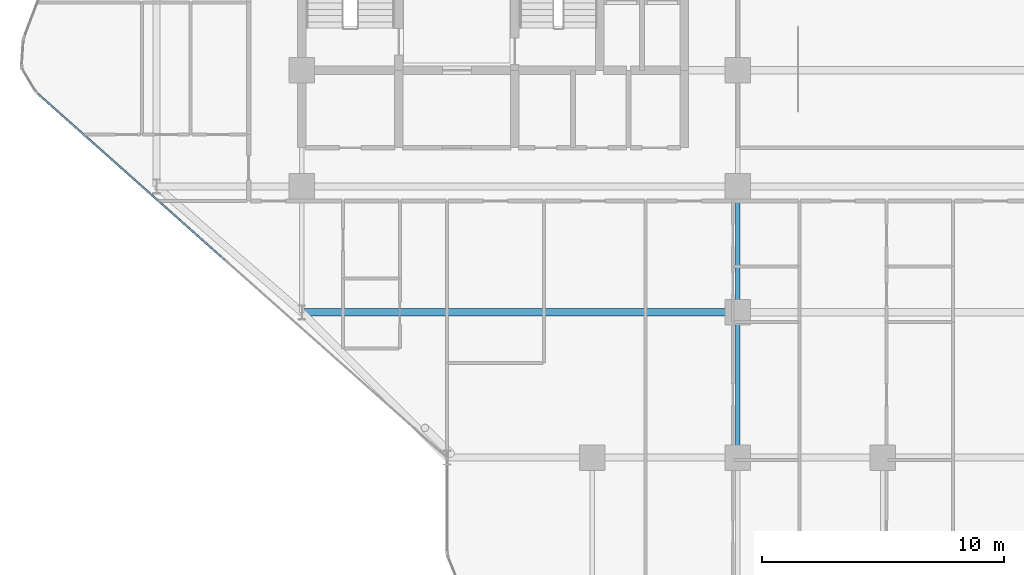
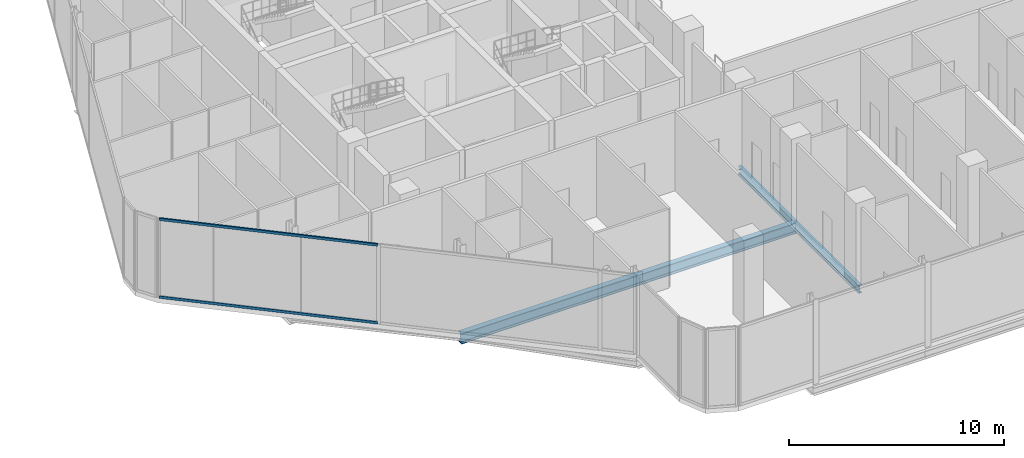
# One storey, part 5 of 29: 3 beams, 2 members, 1 element without a shape of its own.
"""IFC4 building model written with IfcOpenShell, lengths in metres."""

from ifc_helpers import new_model, si_unit, direction, frame, origin, origin_2d, place, context, subcontext, project, spatial, hollow_rectangle, i_section, extrude, material, layer, layer_set, material_profile, profile_set, type_object, element, aggregate, save


model = new_model("IFC4")

# Units and contexts
model_context = context("Model", 3, precision=1e-05, world=origin(), true_north=direction((0.0, 1.0)))
body_context = subcontext(model_context, "Body", "Model", "MODEL_VIEW")
ifc_project = project(units=[si_unit("LENGTHUNIT", "METRE"), si_unit("AREAUNIT", "SQUARE_METRE"), si_unit("VOLUMEUNIT", "CUBIC_METRE"), si_unit("PLANEANGLEUNIT", "RADIAN"), si_unit("MASSUNIT", "GRAM", prefix="KILO")], contexts=[model_context])

# Site, building, storey
site_placement = place(None, origin())
site = spatial("IfcSite", under=ifc_project, at=site_placement, CompositionType="ELEMENT")
building_placement = place(site_placement, origin())
building = spatial("IfcBuilding", under=site, at=building_placement, Name="Keshet Zoharim Tower", CompositionType="ELEMENT")
storey_placement = place(building_placement, frame((0.0, 0.0, 120.5)))
storey = spatial("IfcBuildingStorey", under=building, at=storey_placement, Name="L29", CompositionType="ELEMENT", Elevation=120.5)

# Beams
ifc_material_1 = material(Name="Steel S355", Category="steel")
ifc_material_profile_1 = material_profile(ifc_material_1, i_section(OverallWidth=0.300048828125, OverallDepth=0.60009765625, WebThickness=0.015380859375, FlangeThickness=0.030029296875, FilletRadius=0.027099609375, at=origin_2d()), Name="HEB600")
ifc_profile_set_1 = profile_set([ifc_material_profile_1], Name="Steel S355")
beam_type_1 = type_object("IfcBeamType", Name="BM-LNG-HB600", PredefinedType="BEAM", material=ifc_profile_set_1)
beam_1_placement = place(storey_placement, frame((15.0, 12.699951171875, -0.6201171875), z_axis=(1.0, 0.0, 0.0), x_axis=(0.0, 1.0, 0.0)))
element("IfcBeam", 1, at=beam_1_placement, inside=storey, type_object=beam_type_1, Name="L29 Primary Girder X-009", PredefinedType="BEAM", context=body_context, shape_type="SweptSolid", body=[
    extrude(i_section(OverallWidth=0.300048828125, OverallDepth=0.60009765625, WebThickness=0.015380859375, FlangeThickness=0.030029296875, FilletRadius=0.027099609375, at=origin_2d()), origin(), (0.0, 0.0, 1.0), 18.0),
])
ifc_material_profile_2 = material_profile(ifc_material_1, i_section(OverallWidth=0.18994140625, OverallDepth=0.449951171875, WebThickness=0.009521484375, FlangeThickness=0.0146484375, FilletRadius=0.02099609375, at=origin_2d()), Name="IPE450")
ifc_profile_set_2 = profile_set([ifc_material_profile_2], Name="Steel S355")
beam_type_2 = type_object("IfcBeamType", Name="BM-PRI-IP450", PredefinedType="BEAM", material=ifc_profile_set_2)
beam_2_placement = place(storey_placement, frame((33.0, 6.699951171875, -0.544921875), z_axis=(0.0, 1.0, 0.0), x_axis=(-1.0, 0.0, 0.0)))
element("IfcBeam", 2, at=beam_2_placement, inside=storey, type_object=beam_type_2, Name="L29 Primary Girder Y-006", PredefinedType="BEAM", context=body_context, shape_type="SweptSolid", body=[
    extrude(i_section(OverallWidth=0.18994140625, OverallDepth=0.449951171875, WebThickness=0.009521484375, FlangeThickness=0.0146484375, FilletRadius=0.02099609375, at=origin_2d()), origin(), (0.0, 0.0, 1.0), 6.0),
])
beam_3_placement = place(storey_placement, frame((33.0, 12.699951171875, -0.544921875), z_axis=(0.0, 1.0, 0.0), x_axis=(-1.0, 0.0, 0.0)))
element("IfcBeam", 3, at=beam_3_placement, inside=storey, type_object=beam_type_2, Name="L29 Primary Girder Y-007", PredefinedType="BEAM", context=body_context, shape_type="SweptSolid", body=[
    extrude(i_section(OverallWidth=0.18994140625, OverallDepth=0.449951171875, WebThickness=0.009521484375, FlangeThickness=0.0146484375, FilletRadius=0.02099609375, at=origin_2d()), origin(), (0.0, 0.0, 1.0), 5.199951171875),
])

# Curtain wall, members
ifc_material_2 = material(Name="Aluminium 6063-T6", Category="aluminium")
ifc_layer = layer(ifc_material_2, 0.14990234375)
ifc_layer_set = layer_set([ifc_layer], Name="Aluminium 6063-T6")
curtain_wall_type = type_object("IfcCurtainWallType", Name="CW-SYS-04", PredefinedType="NOTDEFINED", material=ifc_layer_set)
curtain_wall_placement = place(storey_placement, origin())
curtain_wall = element("IfcCurtainWall", 4, at=curtain_wall_placement, inside=storey, type_object=curtain_wall_type, Name="L29 Unitised Curtain Wall 07 Part 2", PredefinedType="NOTDEFINED")
ifc_material_profile_3 = material_profile(ifc_material_2, hollow_rectangle(XDim=0.080078125, YDim=0.139892578125, WallThickness=0.00390625, at=origin_2d()), Name="TRN-80x140")
ifc_profile_set_3 = profile_set([ifc_material_profile_3], Name="Aluminium 6063-T6")
member_type = type_object("IfcMemberType", Name="CWT-T14", PredefinedType="USERDEFINED", material=ifc_profile_set_3)
member_1_placement = place(storey_placement, frame((11.8369140625, 14.844970703125, 0.034912109375), z_axis=(-0.747410617795, 0.664362377326, 0.0), x_axis=(-0.664362377326, -0.747410617795, 0.0)))
member_1 = element("IfcMember", 5, at=member_1_placement, type_object=member_type, Name="CW-04 transom 2.1", ObjectType="TRANSOM", PredefinedType="USERDEFINED", context=body_context, shape_type="SweptSolid", body=[
    extrude(hollow_rectangle(XDim=0.080078125, YDim=0.139892578125, WallThickness=0.00390625, at=origin_2d()), origin(), (0.0, 0.0, 1.0), 10.368408203125),
])
member_2_placement = place(storey_placement, frame((11.8369140625, 14.844970703125, 4.445068359375), z_axis=(-0.747410617795, 0.664362377326, 0.0), x_axis=(-0.664362377326, -0.747410617795, 0.0)))
member_2 = element("IfcMember", 6, at=member_2_placement, type_object=member_type, Name="CW-04 transom 2.2", ObjectType="TRANSOM", PredefinedType="USERDEFINED", context=body_context, shape_type="SweptSolid", body=[
    extrude(hollow_rectangle(XDim=0.080078125, YDim=0.139892578125, WallThickness=0.00390625, at=origin_2d()), origin(), (0.0, 0.0, 1.0), 10.368408203125),
])
aggregate(curtain_wall, [member_1, member_2])

save(model, "model.ifc")
